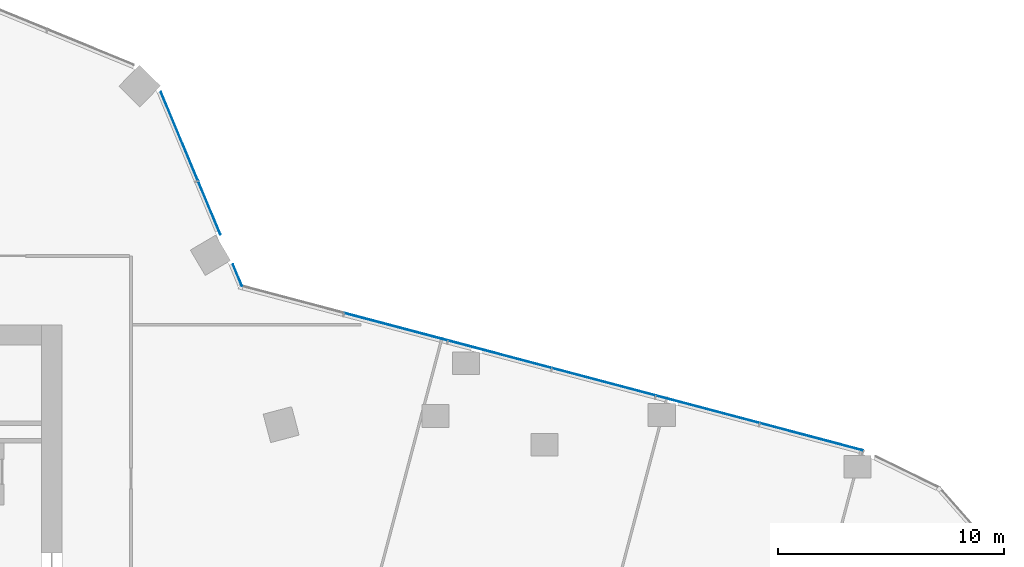
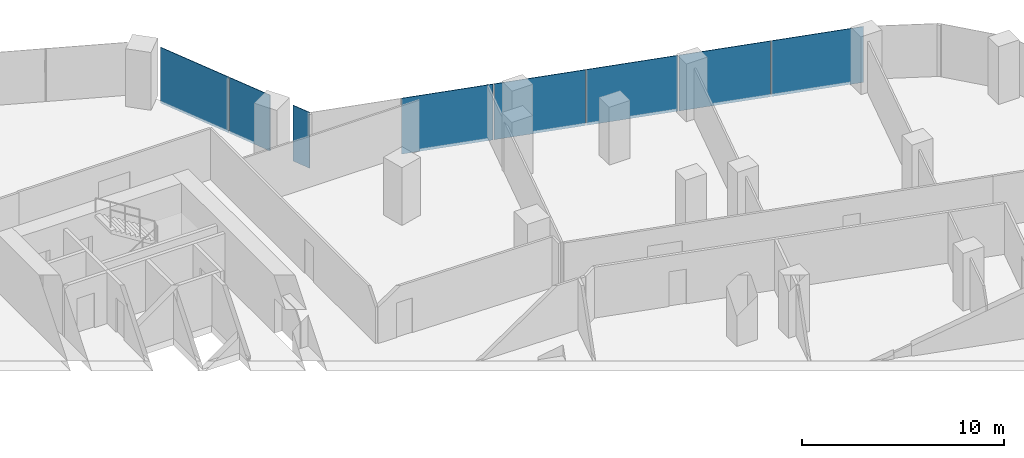
# One storey, part 25 of 34: 8 plates, 2 elements without a shape of their own.
"""IFC4 building model written with IfcOpenShell, lengths in metres."""

from ifc_helpers import new_model, si_unit, direction, frame, origin, origin_2d, place, context, subcontext, project, spatial, rectangle, extrude, material, layer, layer_set, type_object, element, aggregate, save


model = new_model("IFC4")

# Units and contexts
model_context = context("Model", 3, precision=1e-05, world=origin(), true_north=direction((0.0, 1.0)))
body_context = subcontext(model_context, "Body", "Model", "MODEL_VIEW")
ifc_project = project(units=[si_unit("LENGTHUNIT", "METRE"), si_unit("AREAUNIT", "SQUARE_METRE"), si_unit("VOLUMEUNIT", "CUBIC_METRE"), si_unit("PLANEANGLEUNIT", "RADIAN"), si_unit("MASSUNIT", "GRAM", prefix="KILO")], contexts=[model_context])

# Site, building, storey
site_placement = place(None, origin())
site = spatial("IfcSite", under=ifc_project, at=site_placement, CompositionType="ELEMENT")
building_placement = place(site_placement, origin())
building = spatial("IfcBuilding", under=site, at=building_placement, Name="Orlundy Tower", CompositionType="ELEMENT")
storey_placement = place(building_placement, frame((0.0, 0.0, 112.699951171875)))
storey = spatial("IfcBuildingStorey", under=building, at=storey_placement, Name="L28", CompositionType="ELEMENT", Elevation=112.699951171875)

# Curtain wall, plates
ifc_material_1 = material(Name="Aluminium bronze anodised", Category="aluminium")
curtain_wall_type = type_object("IfcCurtainWallType", Name="CW1 wall", PredefinedType="NOTDEFINED", material=ifc_material_1)
curtain_wall_1_placement = place(storey_placement, origin())
curtain_wall_1 = element("IfcCurtainWall", 1, at=curtain_wall_1_placement, inside=storey, type_object=curtain_wall_type, Name="CW1 run 017", PredefinedType="NOTDEFINED")
ifc_material_2 = material(Name="Tinted glass", Category="glass")
ifc_layer = layer(ifc_material_2, 0.031982421875)
ifc_layer_set = layer_set([ifc_layer], Name="CW1 glass panel 32")
plate_type = type_object("IfcPlateType", Name="CW1 glass panel 32", PredefinedType="CURTAIN_PANEL", material=ifc_layer_set)
plate_1_placement = place(storey_placement, frame((24.19091796875, 20.347900390625, -0.27978515625), z_axis=(0.0, 0.0, 1.0), x_axis=(0.385378258299, -0.922758688949, 0.0)))
plate_1 = element("IfcPlate", 2, at=plate_1_placement, type_object=plate_type, Name="CW1 panel", PredefinedType="CURTAIN_PANEL", context=body_context, shape_type="SweptSolid", body=[
    extrude(rectangle(XDim=4.240966796875, YDim=0.031982421875, at=origin_2d()), origin(), (0.0, 0.0, 1.0), 3.3798828125),
])
plate_2_placement = place(storey_placement, frame((25.51708984375, 17.172607421875, -0.27978515625), z_axis=(0.0, 0.0, 1.0), x_axis=(0.385378258299, -0.922758688949, 0.0)))
plate_2 = element("IfcPlate", 3, at=plate_2_placement, type_object=plate_type, Name="CW1 panel", PredefinedType="CURTAIN_PANEL", context=body_context, shape_type="SweptSolid", body=[
    extrude(rectangle(XDim=2.541259765625, YDim=0.031982421875, at=origin_2d()), origin(), (0.0, 0.0, 1.0), 3.3798828125),
])
plate_3_placement = place(storey_placement, frame((26.759521484375, 14.19775390625, -0.27978515625), z_axis=(0.0, 0.0, 1.0), x_axis=(0.385378258299, -0.922758688949, 0.0)))
plate_3 = element("IfcPlate", 4, at=plate_3_placement, type_object=plate_type, Name="CW1 panel", PredefinedType="CURTAIN_PANEL", context=body_context, shape_type="SweptSolid", body=[
    extrude(rectangle(XDim=1.0361328125, YDim=0.031982421875, at=origin_2d()), origin(), (0.0, 0.0, 1.0), 3.3798828125),
])
aggregate(curtain_wall_1, [plate_1, plate_2, plate_3])

curtain_wall_2_placement = place(storey_placement, origin())
curtain_wall_2 = element("IfcCurtainWall", 5, at=curtain_wall_2_placement, inside=storey, type_object=curtain_wall_type, Name="CW1 run 018", PredefinedType="NOTDEFINED")
plate_4_placement = place(storey_placement, frame((33.7763671875, 11.914306640625, -0.27978515625), z_axis=(0.0, 0.0, 1.0), x_axis=(0.966671560598, -0.256019713949, 0.0)))
plate_4 = element("IfcPlate", 6, at=plate_4_placement, type_object=plate_type, Name="CW1 panel", PredefinedType="CURTAIN_PANEL", context=body_context, shape_type="SweptSolid", body=[
    extrude(rectangle(XDim=4.70556640625, YDim=0.031982421875, at=origin_2d()), origin(), (0.0, 0.0, 1.0), 3.3798828125),
])
plate_5_placement = place(storey_placement, frame((38.37353515625, 10.69677734375, -0.27978515625), z_axis=(0.0, 0.0, 1.0), x_axis=(0.966671560598, -0.256019713949, 0.0)))
plate_5 = element("IfcPlate", 7, at=plate_5_placement, type_object=plate_type, Name="CW1 panel", PredefinedType="CURTAIN_PANEL", context=body_context, shape_type="SweptSolid", body=[
    extrude(rectangle(XDim=4.70556640625, YDim=0.031982421875, at=origin_2d()), origin(), (0.0, 0.0, 1.0), 3.3798828125),
])
plate_6_placement = place(storey_placement, frame((42.970458984375, 9.479248046875, -0.27978515625), z_axis=(0.0, 0.0, 1.0), x_axis=(0.966671560598, -0.256019713949, 0.0)))
plate_6 = element("IfcPlate", 8, at=plate_6_placement, type_object=plate_type, Name="CW1 panel", PredefinedType="CURTAIN_PANEL", context=body_context, shape_type="SweptSolid", body=[
    extrude(rectangle(XDim=4.70556640625, YDim=0.031982421875, at=origin_2d()), origin(), (0.0, 0.0, 1.0), 3.3798828125),
])
plate_7_placement = place(storey_placement, frame((47.5673828125, 8.26171875, -0.27978515625), z_axis=(0.0, 0.0, 1.0), x_axis=(0.966671560598, -0.256019713949, 0.0)))
plate_7 = element("IfcPlate", 9, at=plate_7_placement, type_object=plate_type, Name="CW1 panel", PredefinedType="CURTAIN_PANEL", context=body_context, shape_type="SweptSolid", body=[
    extrude(rectangle(XDim=4.70556640625, YDim=0.031982421875, at=origin_2d()), origin(), (0.0, 0.0, 1.0), 3.3798828125),
])
plate_8_placement = place(storey_placement, frame((52.172119140625, 7.042236328125, -0.27978515625), z_axis=(0.0, 0.0, 1.0), x_axis=(0.966671560598, -0.256019713949, 0.0)))
plate_8 = element("IfcPlate", 10, at=plate_8_placement, type_object=plate_type, Name="CW1 panel", PredefinedType="CURTAIN_PANEL", context=body_context, shape_type="SweptSolid", body=[
    extrude(rectangle(XDim=4.721435546875, YDim=0.031982421875, at=origin_2d()), origin(), (0.0, 0.0, 1.0), 3.3798828125),
])
aggregate(curtain_wall_2, [plate_4, plate_5, plate_6, plate_7, plate_8])

save(model, "model.ifc")
